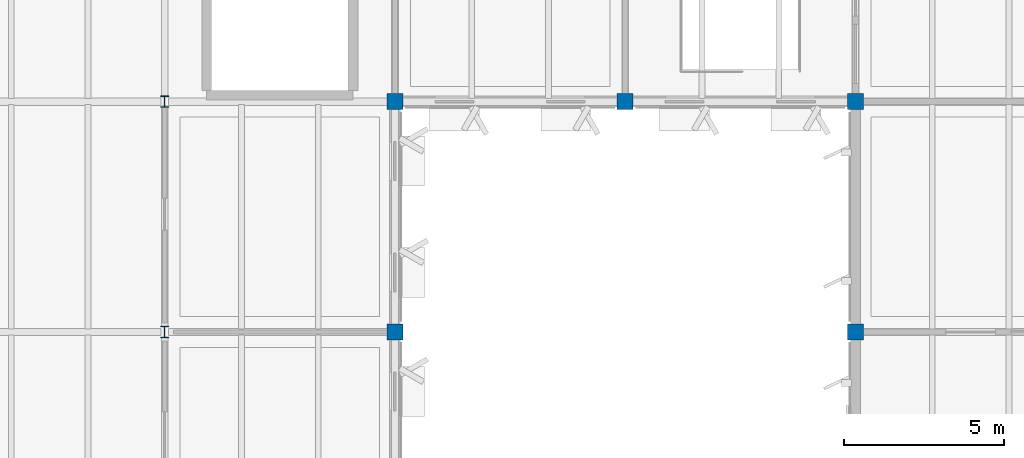
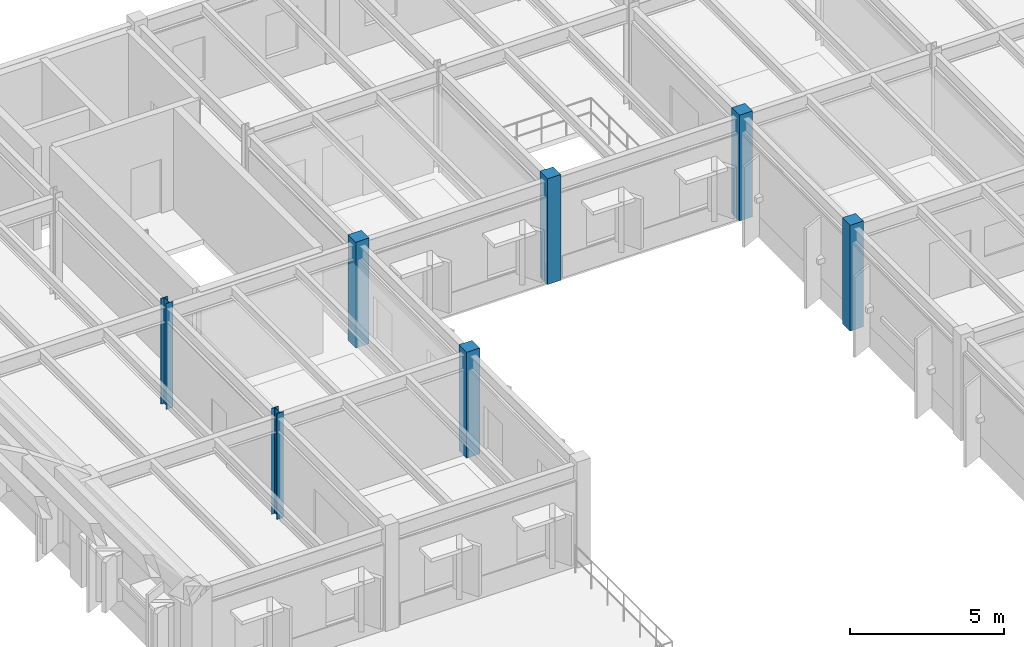
# One storey, part 2 of 85: 7 columns.
"""IFC4 building model written with IfcOpenShell, lengths in metres."""

from ifc_helpers import new_model, si_unit, direction, frame, origin, origin_2d, place, context, subcontext, project, spatial, rectangle, i_section, extrude, material, material_profile, profile_set, type_object, element, save


model = new_model("IFC4")

# Units and contexts
model_context = context("Model", 3, precision=1e-05, world=origin(), true_north=direction((0.0, 1.0)))
body_context = subcontext(model_context, "Body", "Model", "MODEL_VIEW")
ifc_project = project(units=[si_unit("LENGTHUNIT", "METRE"), si_unit("AREAUNIT", "SQUARE_METRE"), si_unit("VOLUMEUNIT", "CUBIC_METRE"), si_unit("PLANEANGLEUNIT", "RADIAN"), si_unit("MASSUNIT", "GRAM", prefix="KILO")], contexts=[model_context])

# Site, building, storey
site_placement = place(None, origin())
site = spatial("IfcSite", under=ifc_project, at=site_placement, CompositionType="ELEMENT")
building_placement = place(site_placement, origin())
building = spatial("IfcBuilding", under=site, at=building_placement, Name="Sillqori Civic Hall", CompositionType="ELEMENT")
storey_placement = place(building_placement, frame((0.0, 0.0, 9.89990234375)))
storey = spatial("IfcBuildingStorey", under=building, at=storey_placement, Name="L03", CompositionType="ELEMENT", Elevation=9.89990234375)

# Columns
ifc_material_1 = material(Name="Concrete C35/45 (H35)", Category="concrete")
ifc_material_profile_1 = material_profile(ifc_material_1, rectangle(XDim=0.5, YDim=0.5, at=origin_2d()), Name="RC 500x500")
ifc_profile_set_1 = profile_set([ifc_material_profile_1], Name="Concrete C35/45 (H35)")
column_type_1 = type_object("IfcColumnType", Name="COL-RC500", PredefinedType="COLUMN", material=ifc_profile_set_1)
for number, where, z_axis, x_axis, name in (
    (1, (50.39990234375, 28.800048828125, 0.0), (0.0, 0.0, 1.0), (1.0, 0.0, 0.0), "L03 column 7-4"),
    (2, (50.39990234375, 36.0, 0.0), (0.0, 0.0, 1.0), (1.0, 0.0, 0.0), "L03 column 7-5"),
    (3, (57.60009765625, 36.0, 0.0), (0.0, 0.0, 1.0), (1.0, 0.0, 0.0), "L03 column 8-5"),
    (4, (64.800048828125, 28.800048828125, 0.0), (0.0, 0.0, 1.0), (1.0, 0.0, 0.0), "L03 column 9-4"),
    (5, (64.800048828125, 36.0, 0.0), (0.0, 0.0, 1.0), (1.0, 0.0, 0.0), "L03 column 9-5"),
):
    element("IfcColumn", number, at=place(storey_placement, frame(where, z_axis=z_axis, x_axis=x_axis)), inside=storey, type_object=column_type_1, Name=name, PredefinedType="COLUMN", context=body_context, shape_type="SweptSolid", body=[
        extrude(rectangle(XDim=0.5, YDim=0.5, at=origin_2d()), origin(), (0.0, 0.0, 1.0), 4.2001953125),
    ])
ifc_material_2 = material(Name="Steel ASTM A992", Category="steel")
ifc_material_profile_2 = material_profile(ifc_material_2, i_section(OverallWidth=0.257080078125, OverallDepth=0.363037109375, WebThickness=0.012939453125, FlangeThickness=0.021728515625, FilletRadius=0.014892578125, at=origin_2d()), Name="W14X82")
ifc_profile_set_2 = profile_set([ifc_material_profile_2], Name="Steel ASTM A992")
column_type_2 = type_object("IfcColumnType", Name="COL-W14X82", PredefinedType="COLUMN", material=ifc_profile_set_2)
for number, where, z_axis, x_axis, name in (
    (6, (43.199951171875, 28.800048828125, 0.0), (0.0, 0.0, 1.0), (1.0, 0.0, 0.0), "L03 column 6-4"),
    (7, (43.199951171875, 36.0, 0.0), (0.0, 0.0, 1.0), (1.0, 0.0, 0.0), "L03 column 6-5"),
):
    element("IfcColumn", number, at=place(storey_placement, frame(where, z_axis=z_axis, x_axis=x_axis)), inside=storey, type_object=column_type_2, Name=name, PredefinedType="COLUMN", context=body_context, shape_type="SweptSolid", body=[
        extrude(i_section(OverallWidth=0.257080078125, OverallDepth=0.363037109375, WebThickness=0.012939453125, FlangeThickness=0.021728515625, FilletRadius=0.014892578125, at=origin_2d()), origin(), (0.0, 0.0, 1.0), 4.2001953125),
    ])

save(model, "model.ifc")
